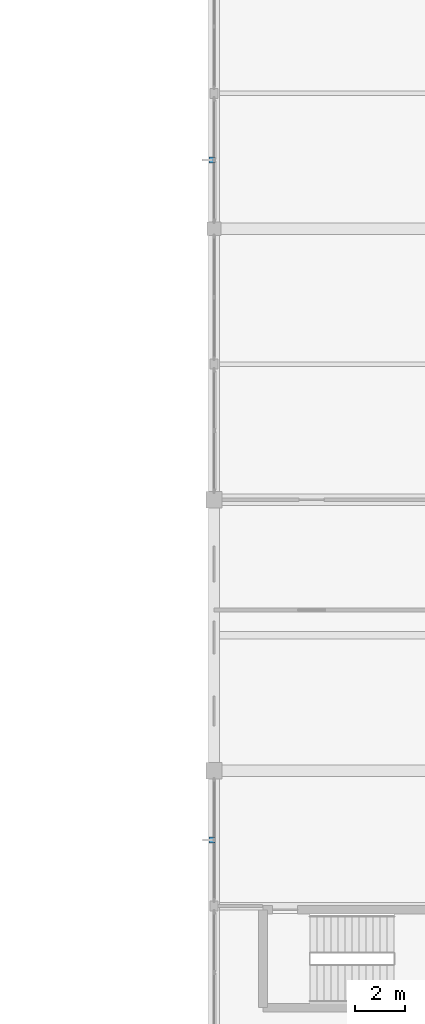
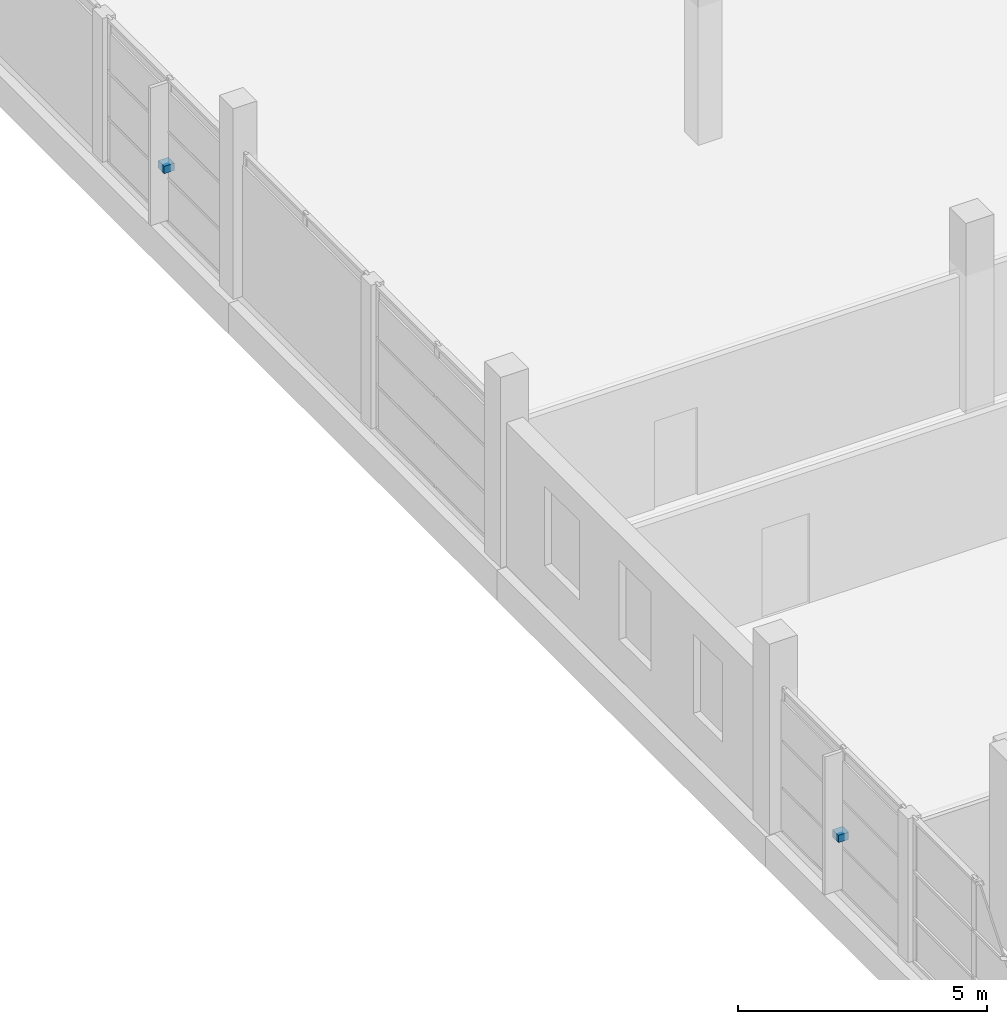
# One storey, part 20 of 24: 2 discrete accessories.
"""IFC4 building model written with IfcOpenShell, lengths in metres."""

from ifc_helpers import new_model, si_unit, direction, frame, origin, origin_2d, place, context, subcontext, project, spatial, rectangle, extrude, material, type_object, element, save


model = new_model("IFC4")

# Units and contexts
model_context = context("Model", 3, precision=1e-05, world=origin(), true_north=direction((0.0, 1.0)))
body_context = subcontext(model_context, "Body", "Model", "MODEL_VIEW")
ifc_project = project(units=[si_unit("LENGTHUNIT", "METRE"), si_unit("AREAUNIT", "SQUARE_METRE"), si_unit("VOLUMEUNIT", "CUBIC_METRE"), si_unit("PLANEANGLEUNIT", "RADIAN"), si_unit("MASSUNIT", "GRAM", prefix="KILO")], contexts=[model_context])

# Site, building, storey
site_placement = place(None, origin())
site = spatial("IfcSite", under=ifc_project, at=site_placement, CompositionType="ELEMENT")
building_placement = place(site_placement, origin())
building = spatial("IfcBuilding", under=site, at=building_placement, Name="Zwinboog Wholesale Market", CompositionType="ELEMENT")
storey_placement = place(building_placement, frame((0.0, 0.0, 10.080078125)))
storey = spatial("IfcBuildingStorey", under=building, at=storey_placement, Name="L02", CompositionType="ELEMENT", Elevation=10.080078125)

# Discrete accessories
ifc_material = material(Name="Steel S355", Category="steel")
discrete_accessory_type = type_object("IfcDiscreteAccessoryType", Name="ACC-BRK-S355", PredefinedType="BRACKET", material=ifc_material)
for number, where, z_axis, x_axis, name in (
    (1, (129.52490234375, 8.0400390625, 1.31005859375), (0.0, 0.0, 1.0), (1.0, 0.0, 0.0), "BK-01 (ACC-FBRK-045)"),
    (2, (129.510009765625, 35.135009765625, 1.31005859375), (0.0, 0.0, 1.0), (1.0, 0.0, 0.0), "BK-01 (ACC-FBRK-046)"),
):
    element("IfcDiscreteAccessory", number, at=place(storey_placement, frame(where, z_axis=z_axis, x_axis=x_axis)), inside=storey, type_object=discrete_accessory_type, Name=name, PredefinedType="BRACKET", context=body_context, shape_type="SweptSolid", body=[
        extrude(rectangle(XDim=0.239990234375, YDim=0.239990234375, at=origin_2d()), origin(), (0.0, 0.0, 1.0), 0.179931640625),
    ])

save(model, "model.ifc")
